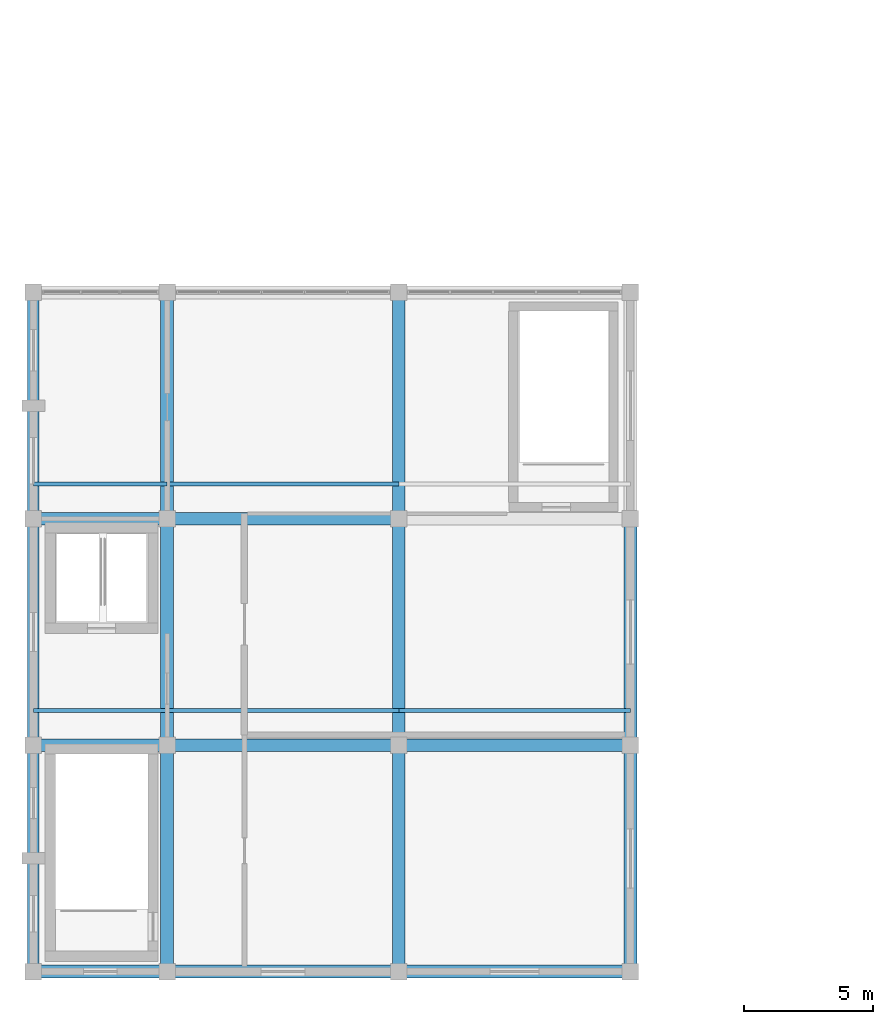
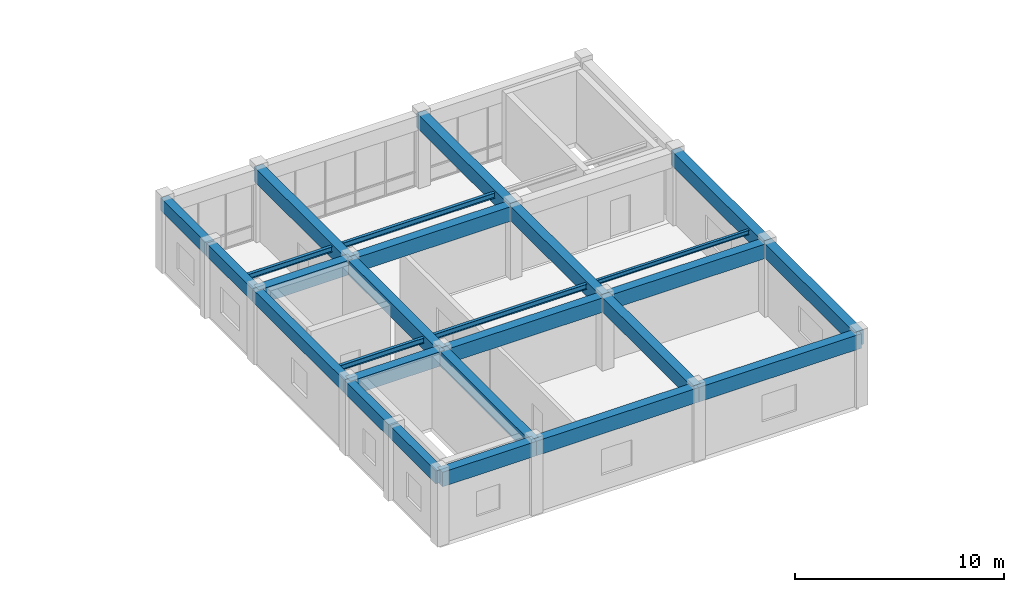
# One storey, part 7 of 55: 21 beams, 5 members.
"""IFC4 building model written with IfcOpenShell, lengths in metres."""

from ifc_helpers import new_model, si_unit, direction, frame, origin, origin_2d, place, context, subcontext, project, spatial, rectangle, i_section, extrude, material, material_profile, profile_set, type_object, element, save


model = new_model("IFC4")

# Units and contexts
model_context = context("Model", 3, precision=1e-05, world=origin(), true_north=direction((0.0, 1.0)))
body_context = subcontext(model_context, "Body", "Model", "MODEL_VIEW")
ifc_project = project(units=[si_unit("LENGTHUNIT", "METRE"), si_unit("AREAUNIT", "SQUARE_METRE"), si_unit("VOLUMEUNIT", "CUBIC_METRE"), si_unit("PLANEANGLEUNIT", "RADIAN"), si_unit("MASSUNIT", "GRAM", prefix="KILO")], contexts=[model_context])

# Site, building, storey
site_placement = place(None, origin())
site = spatial("IfcSite", under=ifc_project, at=site_placement, CompositionType="ELEMENT")
building_placement = place(site_placement, origin())
building = spatial("IfcBuilding", under=site, at=building_placement, Name="Ventoquebrada Cableway Terminal", CompositionType="ELEMENT")
storey_placement = place(building_placement, frame((0.0, 0.0, 14.39990234375)))
storey = spatial("IfcBuildingStorey", under=building, at=storey_placement, Name="L03", CompositionType="ELEMENT", Elevation=14.39990234375)

# Beams
ifc_material_1 = material(Name="Concrete C40/50", Category="concrete")
ifc_material_profile_1 = material_profile(ifc_material_1, rectangle(XDim=0.5, YDim=0.85009765625, at=origin_2d()), Name="RC-BM-500X850")
ifc_profile_set_1 = profile_set([ifc_material_profile_1], Name="Concrete C40/50")
beam_type_1 = type_object("IfcBeamType", Name="BM-RC04", PredefinedType="BEAM", material=ifc_profile_set_1)
beam_1_placement = place(storey_placement, frame((3.0, 11.800048828125, 3.80517578125), z_axis=(1.0, 0.0, 0.0), x_axis=(0.0, 1.0, 0.0)))
element("IfcBeam", 1, at=beam_1_placement, inside=storey, type_object=beam_type_1, Name="Primary frame girder FBM-0229", PredefinedType="BEAM", context=body_context, shape_type="SweptSolid", body=[
    extrude(rectangle(XDim=0.5, YDim=0.85009765625, at=origin_2d()), origin(), (0.0, 0.0, 1.0), 5.199951171875),
])
for number, where, z_axis, x_axis, name in (
    (2, (8.199951171875, 11.800048828125, 3.80517578125), (1.0, 0.0, 0.0), (0.0, 1.0, 0.0), "Primary frame girder FBM-0230"),
    (3, (17.199951171875, 11.800048828125, 3.80517578125), (1.0, 0.0, 0.0), (0.0, 1.0, 0.0), "Primary frame girder FBM-0231"),
):
    element("IfcBeam", number, at=place(storey_placement, frame(where, z_axis=z_axis, x_axis=x_axis)), inside=storey, type_object=beam_type_1, Name=name, PredefinedType="BEAM", context=body_context, shape_type="SweptSolid", body=[
        extrude(rectangle(XDim=0.5, YDim=0.85009765625, at=origin_2d()), origin(), (0.0, 0.0, 1.0), 9.0),
    ])
beam_2_placement = place(storey_placement, frame((3.0, 20.60009765625, 3.80517578125), z_axis=(1.0, 0.0, 0.0), x_axis=(0.0, 1.0, 0.0)))
element("IfcBeam", 4, at=beam_2_placement, inside=storey, type_object=beam_type_1, Name="Primary frame girder FBM-0232", PredefinedType="BEAM", context=body_context, shape_type="SweptSolid", body=[
    extrude(rectangle(XDim=0.5, YDim=0.85009765625, at=origin_2d()), origin(), (0.0, 0.0, 1.0), 5.199951171875),
])
for number, where, z_axis, x_axis, name in (
    (5, (8.199951171875, 20.60009765625, 3.80517578125), (1.0, 0.0, 0.0), (0.0, 1.0, 0.0), "Primary frame girder FBM-0233"),
    (6, (17.199951171875, 20.60009765625, 3.80517578125), (1.0, 0.0, 0.0), (0.0, 1.0, 0.0), "Primary frame girder FBM-0234"),
):
    element("IfcBeam", number, at=place(storey_placement, frame(where, z_axis=z_axis, x_axis=x_axis)), inside=storey, type_object=beam_type_1, Name=name, PredefinedType="BEAM", context=body_context, shape_type="SweptSolid", body=[
        extrude(rectangle(XDim=0.5, YDim=0.85009765625, at=origin_2d()), origin(), (0.0, 0.0, 1.0), 9.0),
    ])
beam_3_placement = place(storey_placement, frame((3.0, 29.39990234375, 3.80517578125), z_axis=(1.0, 0.0, 0.0), x_axis=(0.0, 1.0, 0.0)))
element("IfcBeam", 7, at=beam_3_placement, inside=storey, type_object=beam_type_1, Name="Primary frame girder FBM-0235", PredefinedType="BEAM", context=body_context, shape_type="SweptSolid", body=[
    extrude(rectangle(XDim=0.5, YDim=0.85009765625, at=origin_2d()), origin(), (0.0, 0.0, 1.0), 5.199951171875),
])
beam_4_placement = place(storey_placement, frame((8.199951171875, 29.39990234375, 3.80517578125), z_axis=(1.0, 0.0, 0.0), x_axis=(0.0, 1.0, 0.0)))
element("IfcBeam", 8, at=beam_4_placement, inside=storey, type_object=beam_type_1, Name="Primary frame girder FBM-0236", PredefinedType="BEAM", context=body_context, shape_type="SweptSolid", body=[
    extrude(rectangle(XDim=0.5, YDim=0.85009765625, at=origin_2d()), origin(), (0.0, 0.0, 1.0), 9.0),
])
beam_5_placement = place(storey_placement, frame((8.199951171875, 11.800048828125, 3.80517578125), z_axis=(0.0, 1.0, 0.0), x_axis=(-1.0, 0.0, 0.0)))
element("IfcBeam", 9, at=beam_5_placement, inside=storey, type_object=beam_type_1, Name="Primary frame girder FBM-0246", PredefinedType="BEAM", context=body_context, shape_type="SweptSolid", body=[
    extrude(rectangle(XDim=0.5, YDim=0.85009765625, at=origin_2d()), origin(), (0.0, 0.0, 1.0), 8.800048828125),
])
beam_6_placement = place(storey_placement, frame((8.199951171875, 20.60009765625, 3.80517578125), z_axis=(0.0, 1.0, 0.0), x_axis=(-1.0, 0.0, 0.0)))
element("IfcBeam", 10, at=beam_6_placement, inside=storey, type_object=beam_type_1, Name="Primary frame girder FBM-0247", PredefinedType="BEAM", context=body_context, shape_type="SweptSolid", body=[
    extrude(rectangle(XDim=0.5, YDim=0.85009765625, at=origin_2d()), origin(), (0.0, 0.0, 1.0), 8.7998046875),
])
for number, where, z_axis, x_axis, name in (
    (11, (8.199951171875, 29.39990234375, 3.80517578125), (0.0, 1.0, 0.0), (-1.0, 0.0, 0.0), "Primary frame girder FBM-0248"),
    (12, (17.199951171875, 11.800048828125, 3.80517578125), (0.0, 1.0, 0.0), (-1.0, 0.0, 0.0), "Primary frame girder FBM-0249"),
):
    element("IfcBeam", number, at=place(storey_placement, frame(where, z_axis=z_axis, x_axis=x_axis)), inside=storey, type_object=beam_type_1, Name=name, PredefinedType="BEAM", context=body_context, shape_type="SweptSolid", body=[
        extrude(rectangle(XDim=0.5, YDim=0.85009765625, at=origin_2d()), origin(), (0.0, 0.0, 1.0), 8.800048828125),
    ])
beam_7_placement = place(storey_placement, frame((17.199951171875, 20.60009765625, 3.80517578125), z_axis=(0.0, 1.0, 0.0), x_axis=(-1.0, 0.0, 0.0)))
element("IfcBeam", 13, at=beam_7_placement, inside=storey, type_object=beam_type_1, Name="Primary frame girder FBM-0250", PredefinedType="BEAM", context=body_context, shape_type="SweptSolid", body=[
    extrude(rectangle(XDim=0.5, YDim=0.85009765625, at=origin_2d()), origin(), (0.0, 0.0, 1.0), 8.7998046875),
])
for number, where, z_axis, x_axis, name in (
    (14, (17.199951171875, 29.39990234375, 3.80517578125), (0.0, 1.0, 0.0), (-1.0, 0.0, 0.0), "Primary frame girder FBM-0251"),
    (15, (26.199951171875, 11.800048828125, 3.80517578125), (0.0, 1.0, 0.0), (-1.0, 0.0, 0.0), "Primary frame girder FBM-0252"),
):
    element("IfcBeam", number, at=place(storey_placement, frame(where, z_axis=z_axis, x_axis=x_axis)), inside=storey, type_object=beam_type_1, Name=name, PredefinedType="BEAM", context=body_context, shape_type="SweptSolid", body=[
        extrude(rectangle(XDim=0.5, YDim=0.85009765625, at=origin_2d()), origin(), (0.0, 0.0, 1.0), 8.800048828125),
    ])
beam_8_placement = place(storey_placement, frame((26.199951171875, 20.60009765625, 3.80517578125), z_axis=(0.0, 1.0, 0.0), x_axis=(-1.0, 0.0, 0.0)))
element("IfcBeam", 16, at=beam_8_placement, inside=storey, type_object=beam_type_1, Name="Primary frame girder FBM-0253", PredefinedType="BEAM", context=body_context, shape_type="SweptSolid", body=[
    extrude(rectangle(XDim=0.5, YDim=0.85009765625, at=origin_2d()), origin(), (0.0, 0.0, 1.0), 8.7998046875),
])

# Members
ifc_material_2 = material(Name="Steel ASTM A992 Grade 50", Category="steel")
ifc_material_profile_2 = material_profile(ifc_material_2, i_section(OverallWidth=0.14599609375, OverallDepth=0.259033203125, WebThickness=0.006103515625, FlangeThickness=0.009033203125, at=origin_2d()), Name="W10X22")
ifc_profile_set_2 = profile_set([ifc_material_profile_2], Name="Steel ASTM A992 Grade 50")
member_type_1 = type_object("IfcMemberType", Name="PUR-RF04", PredefinedType="PURLIN", material=ifc_profile_set_2)
member_1_placement = place(storey_placement, frame((17.199951171875, 21.949951171875, 3.986083984375), z_axis=(1.0, 0.0, 0.0), x_axis=(0.0, 1.0, 0.0)))
element("IfcMember", 17, at=member_1_placement, inside=storey, type_object=member_type_1, Name="Roof support purlin RPR-0479", PredefinedType="PURLIN", context=body_context, shape_type="SweptSolid", body=[
    extrude(i_section(OverallWidth=0.14599609375, OverallDepth=0.259033203125, WebThickness=0.006103515625, FlangeThickness=0.009033203125, at=origin_2d()), origin(), (0.0, 0.0, 1.0), 9.0),
])
ifc_material_profile_3 = material_profile(ifc_material_2, i_section(OverallWidth=0.1650390625, OverallDepth=0.31005859375, WebThickness=0.005859375, FlangeThickness=0.009765625, at=origin_2d()), Name="W12X26")
ifc_profile_set_3 = profile_set([ifc_material_profile_3], Name="Steel ASTM A992 Grade 50")
member_type_2 = type_object("IfcMemberType", Name="PUR-RF05", PredefinedType="PURLIN", material=ifc_profile_set_3)
member_2_placement = place(storey_placement, frame((3.0, 21.949951171875, 3.960205078125), z_axis=(1.0, 0.0, 0.0), x_axis=(0.0, 1.0, 0.0)))
element("IfcMember", 18, at=member_2_placement, inside=storey, type_object=member_type_2, Name="Roof support purlin RPR-0475", PredefinedType="PURLIN", context=body_context, shape_type="SweptSolid", body=[
    extrude(i_section(OverallWidth=0.1650390625, OverallDepth=0.31005859375, WebThickness=0.005859375, FlangeThickness=0.009765625, at=origin_2d()), origin(), (0.0, 0.0, 1.0), 5.199951171875),
])
member_3_placement = place(storey_placement, frame((8.199951171875, 21.949951171875, 3.960205078125), z_axis=(1.0, 0.0, 0.0), x_axis=(0.0, 1.0, 0.0)))
element("IfcMember", 19, at=member_3_placement, inside=storey, type_object=member_type_2, Name="Roof support purlin RPR-0476", PredefinedType="PURLIN", context=body_context, shape_type="SweptSolid", body=[
    extrude(i_section(OverallWidth=0.1650390625, OverallDepth=0.31005859375, WebThickness=0.005859375, FlangeThickness=0.009765625, at=origin_2d()), origin(), (0.0, 0.0, 1.0), 9.0),
])
member_4_placement = place(storey_placement, frame((3.0, 30.75, 3.960205078125), z_axis=(1.0, 0.0, 0.0), x_axis=(0.0, 1.0, 0.0)))
element("IfcMember", 20, at=member_4_placement, inside=storey, type_object=member_type_2, Name="Roof support purlin RPR-0477", PredefinedType="PURLIN", context=body_context, shape_type="SweptSolid", body=[
    extrude(i_section(OverallWidth=0.1650390625, OverallDepth=0.31005859375, WebThickness=0.005859375, FlangeThickness=0.009765625, at=origin_2d()), origin(), (0.0, 0.0, 1.0), 5.199951171875),
])
member_5_placement = place(storey_placement, frame((8.199951171875, 30.75, 3.960205078125), z_axis=(1.0, 0.0, 0.0), x_axis=(0.0, 1.0, 0.0)))
element("IfcMember", 21, at=member_5_placement, inside=storey, type_object=member_type_2, Name="Roof support purlin RPR-0478", PredefinedType="PURLIN", context=body_context, shape_type="SweptSolid", body=[
    extrude(i_section(OverallWidth=0.1650390625, OverallDepth=0.31005859375, WebThickness=0.005859375, FlangeThickness=0.009765625, at=origin_2d()), origin(), (0.0, 0.0, 1.0), 9.0),
])

# Beams
ifc_material_profile_4 = material_profile(ifc_material_1, rectangle(XDim=0.449951171875, YDim=0.75, at=origin_2d()), Name="RC-BM-450X750")
ifc_profile_set_4 = profile_set([ifc_material_profile_4], Name="Concrete C40/50")
beam_type_2 = type_object("IfcBeamType", Name="SP-RC02", PredefinedType="SPANDREL", material=ifc_profile_set_4)
beam_9_placement = place(storey_placement, frame((3.0, 11.800048828125, 3.85498046875), z_axis=(0.0, 1.0, 0.0), x_axis=(-1.0, 0.0, 0.0)))
element("IfcBeam", 22, at=beam_9_placement, inside=storey, type_object=beam_type_2, Name="Perimeter spandrel beam FBM-0241", PredefinedType="SPANDREL", context=body_context, shape_type="SweptSolid", body=[
    extrude(rectangle(XDim=0.449951171875, YDim=0.75, at=origin_2d()), origin(), (0.0, 0.0, 1.0), 4.39990234375),
])
beam_10_placement = place(storey_placement, frame((3.0, 16.199951171875, 3.85498046875), z_axis=(0.0, 1.0, 0.0), x_axis=(-1.0, 0.0, 0.0)))
element("IfcBeam", 23, at=beam_10_placement, inside=storey, type_object=beam_type_2, Name="Perimeter spandrel beam FBM-0242", PredefinedType="SPANDREL", context=body_context, shape_type="SweptSolid", body=[
    extrude(rectangle(XDim=0.449951171875, YDim=0.75, at=origin_2d()), origin(), (0.0, 0.0, 1.0), 4.400146484375),
])
beam_11_placement = place(storey_placement, frame((3.0, 20.60009765625, 3.85498046875), z_axis=(0.0, 1.0, 0.0), x_axis=(-1.0, 0.0, 0.0)))
element("IfcBeam", 24, at=beam_11_placement, inside=storey, type_object=beam_type_2, Name="Perimeter spandrel beam FBM-0243", PredefinedType="SPANDREL", context=body_context, shape_type="SweptSolid", body=[
    extrude(rectangle(XDim=0.449951171875, YDim=0.75, at=origin_2d()), origin(), (0.0, 0.0, 1.0), 8.7998046875),
])
beam_12_placement = place(storey_placement, frame((3.0, 29.39990234375, 3.85498046875), z_axis=(0.0, 1.0, 0.0), x_axis=(-1.0, 0.0, 0.0)))
element("IfcBeam", 25, at=beam_12_placement, inside=storey, type_object=beam_type_2, Name="Perimeter spandrel beam FBM-0244", PredefinedType="SPANDREL", context=body_context, shape_type="SweptSolid", body=[
    extrude(rectangle(XDim=0.449951171875, YDim=0.75, at=origin_2d()), origin(), (0.0, 0.0, 1.0), 4.400146484375),
])
beam_13_placement = place(storey_placement, frame((3.0, 33.800048828125, 3.85498046875), z_axis=(0.0, 1.0, 0.0), x_axis=(-1.0, 0.0, 0.0)))
element("IfcBeam", 26, at=beam_13_placement, inside=storey, type_object=beam_type_2, Name="Perimeter spandrel beam FBM-0245", PredefinedType="SPANDREL", context=body_context, shape_type="SweptSolid", body=[
    extrude(rectangle(XDim=0.449951171875, YDim=0.75, at=origin_2d()), origin(), (0.0, 0.0, 1.0), 4.39990234375),
])

save(model, "model.ifc")
